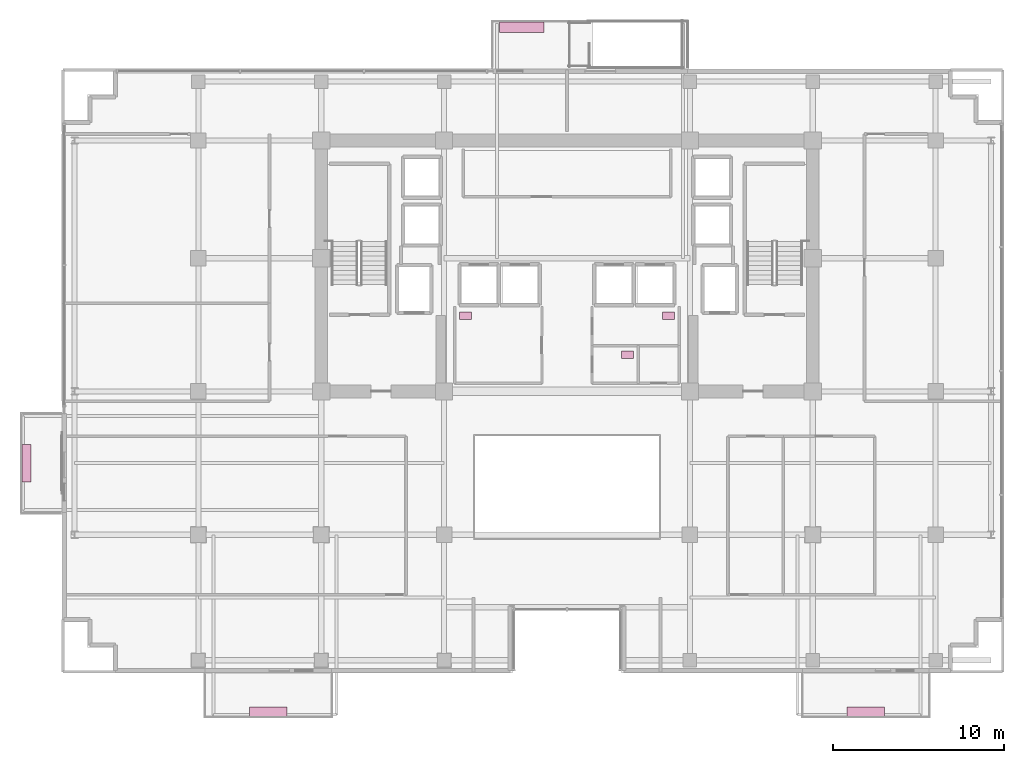
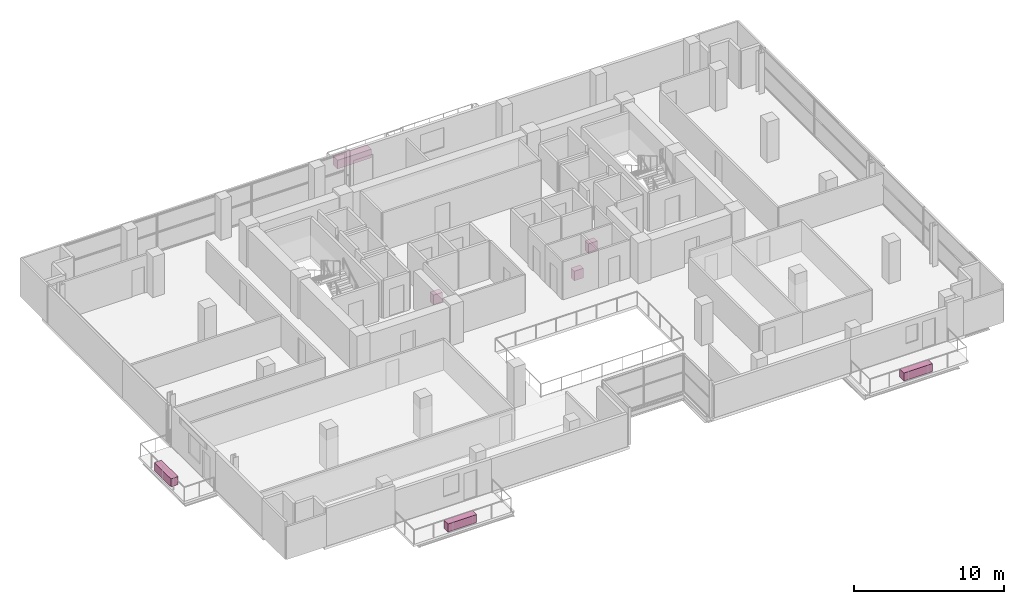
# One storey, part 28 of 28: 7 furnishings.
"""IFC4 building model written with IfcOpenShell, lengths in metres."""

from ifc_helpers import new_model, si_unit, direction, frame, origin, origin_2d, place, context, subcontext, project, spatial, rectangle, extrude, source, transform, mapped, material, type_object, element, save


model = new_model("IFC4")

# Units and contexts
model_context = context("Model", 3, precision=1e-05, world=origin(), true_north=direction((0.0, 1.0)))
body_context = subcontext(model_context, "Body", "Model", "MODEL_VIEW")
ifc_project = project(units=[si_unit("LENGTHUNIT", "METRE"), si_unit("AREAUNIT", "SQUARE_METRE"), si_unit("VOLUMEUNIT", "CUBIC_METRE"), si_unit("PLANEANGLEUNIT", "RADIAN"), si_unit("MASSUNIT", "GRAM", prefix="KILO")], contexts=[model_context])

# Site, building, storey
site_placement = place(None, origin())
site = spatial("IfcSite", under=ifc_project, at=site_placement, CompositionType="ELEMENT")
building_placement = place(site_placement, origin())
building = spatial("IfcBuilding", under=site, at=building_placement, Name="Zarnakvel Exchange Tower", CompositionType="ELEMENT")
storey_placement = place(building_placement, frame((0.0, 0.0, 90.10009765625)))
storey = spatial("IfcBuildingStorey", under=building, at=storey_placement, Name="L24", CompositionType="ELEMENT", Elevation=90.10009765625)

# Furnishings
ifc_material_1 = material(Name="Architectural Bronze Anodised Aluminium", Category="aluminium")
furnishing_element_type_1 = type_object("IfcFurnishingElementType", Name="PLNT-02", material=ifc_material_1)
shared_shape_1 = source(origin(), body_context, "Body", "SweptSolid", [
    extrude(rectangle(XDim=2.60009765625, YDim=0.60009765625, at=origin_2d()), origin(), (0.0, 0.0, 1.0), 0.699951171875),
])
furnishing_placement = place(storey_placement, frame((-2.64990234375, 20.139892578125, 0.0), z_axis=(0.0, 0.0, 1.0), x_axis=(1.0, 0.0, 0.0)))
element("IfcFurnishingElement", 1, at=furnishing_placement, inside=storey, type_object=furnishing_element_type_1, Name="L24 Spiral Sky-Terrace Tropical Planter", ObjectType="PLANTER", context=body_context, shape_type="MappedRepresentation", body=[
    mapped(shared_shape_1, transform((0.0, 0.0, 0.0), x_axis=(1.0, 0.0, 0.0), y_axis=(0.0, 1.0, 0.0), z_axis=(0.0, 0.0, 1.0), scale=1.0)),
])
furnishing_element_type_2 = type_object("IfcFurnishingElementType", Name="PLNT-01", material=ifc_material_1)
shared_shape_2 = source(origin(), body_context, "Body", "SweptSolid", [
    extrude(rectangle(XDim=2.199951171875, YDim=0.550048828125, at=origin_2d()), origin(), (0.0, 0.0, 1.0), 0.64990234375),
])
for number, where, z_axis, x_axis, name in (
    (2, (-17.5, -19.969970703125, -0.03515625), (0.0, 0.0, 1.0), (1.0, 0.0, 0.0), "L24 Balcony Greenery Planter BAL-L24-SW"),
    (3, (17.5, -19.969970703125, -0.03515625), (0.0, 0.0, 1.0), (1.0, 0.0, 0.0), "L24 Balcony Greenery Planter BAL-L24-SE"),
    (4, (-31.669921875, -5.39990234375, -0.03515625), (0.0, 0.0, 1.0), (0.0, 1.0, 0.0), "L24 Balcony Greenery Planter BAL-L24-W"),
):
    element("IfcFurnishingElement", number, at=place(storey_placement, frame(where, z_axis=z_axis, x_axis=x_axis)), inside=storey, type_object=furnishing_element_type_2, Name=name, ObjectType="PLANTER", context=body_context, shape_type="MappedRepresentation", body=[
        mapped(shared_shape_2, transform((0.0, 0.0, 0.0), x_axis=(1.0, 0.0, 0.0), y_axis=(0.0, 1.0, 0.0), z_axis=(0.0, 0.0, 1.0), scale=1.0)),
    ])
ifc_material_2 = material(Name="Vitreous China Sanitaryware", Category="ceramic")
furnishing_element_type_3 = type_object("IfcFurnishingElementType", Name="SAN-WC", material=ifc_material_2)
shared_shape_3 = source(origin(), body_context, "Body", "SweptSolid", [
    extrude(rectangle(XDim=0.699951171875, YDim=0.449951171875, at=origin_2d()), origin(), (0.0, 0.0, 1.0), 0.780029296875),
])
for number, where, z_axis, x_axis, name in (
    (5, (-5.949951171875, 3.22998046875, 0.0), (0.0, 0.0, 1.0), (1.0, 0.0, 0.0), "L24 Sanitary Fixture (Male Toilet)"),
    (6, (5.949951171875, 3.22998046875, 0.0), (0.0, 0.0, 1.0), (1.0, 0.0, 0.0), "L24 Sanitary Fixture (Female Toilet)"),
    (7, (3.550048828125, 0.949951171875, 0.0), (0.0, 0.0, 1.0), (1.0, 0.0, 0.0), "L24 Sanitary Fixture (Accessible Toilet)"),
):
    element("IfcFurnishingElement", number, at=place(storey_placement, frame(where, z_axis=z_axis, x_axis=x_axis)), inside=storey, type_object=furnishing_element_type_3, Name=name, ObjectType="SANITARY_FIXTURE", context=body_context, shape_type="MappedRepresentation", body=[
        mapped(shared_shape_3, transform((0.0, 0.0, 0.0), x_axis=(1.0, 0.0, 0.0), y_axis=(0.0, 1.0, 0.0), z_axis=(0.0, 0.0, 1.0), scale=1.0)),
    ])

save(model, "model.ifc")
